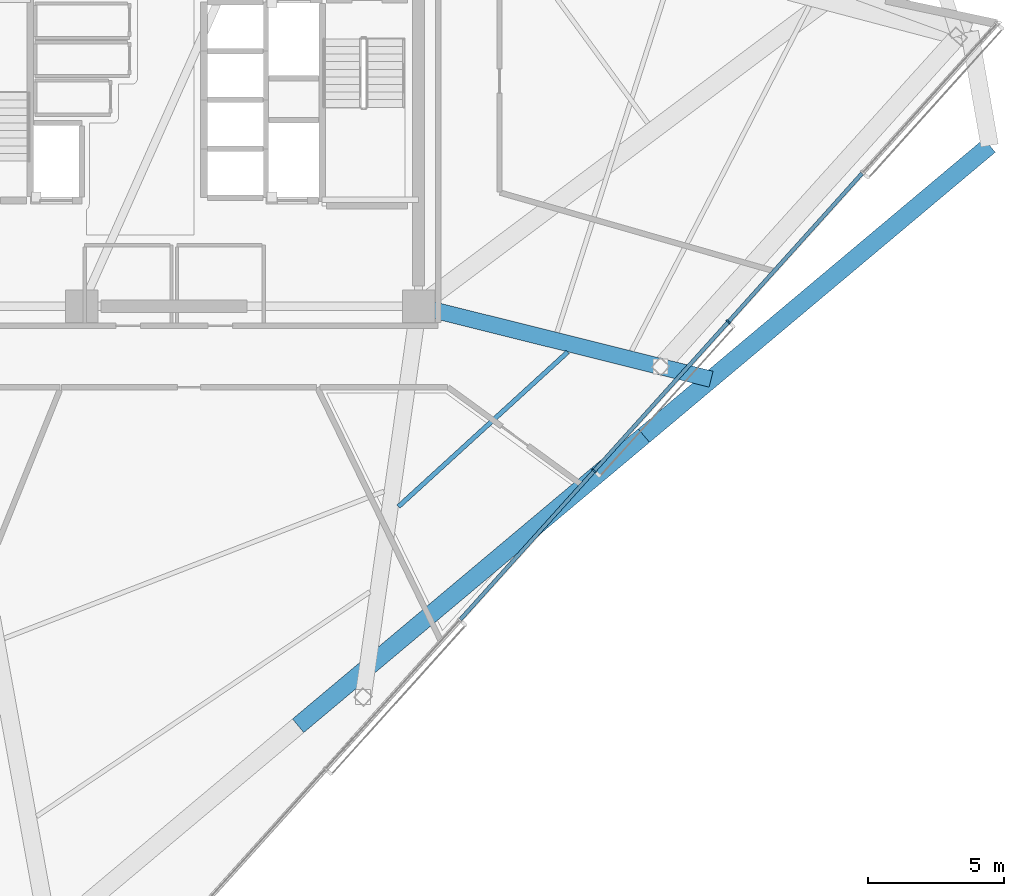
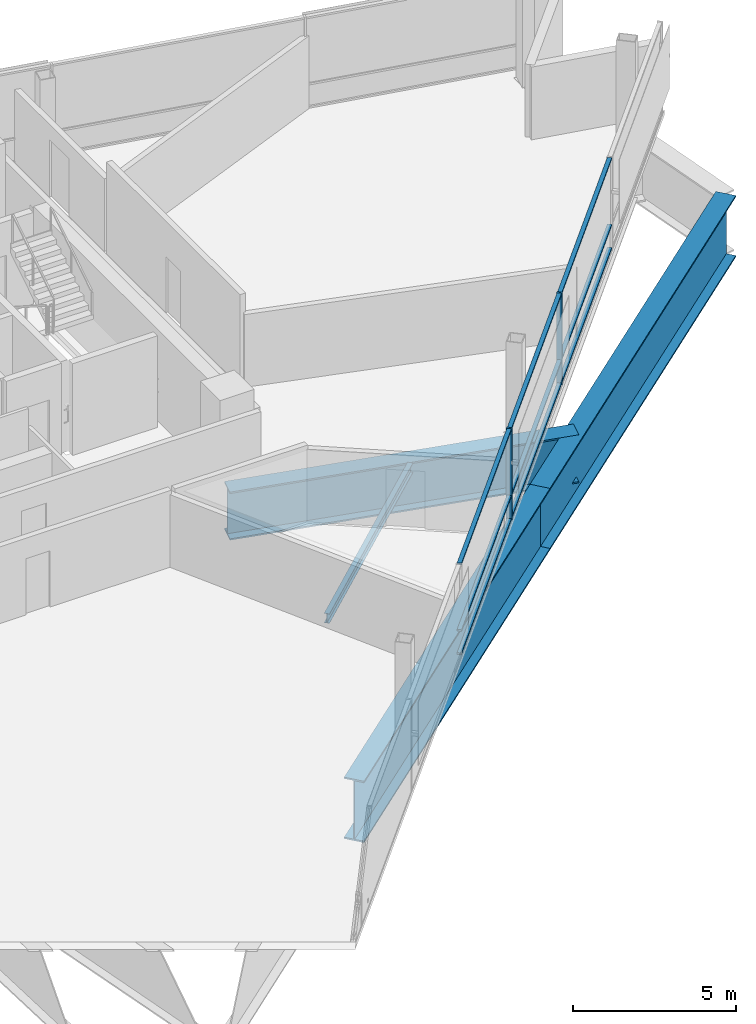
# One storey, part 4 of 17: 11 members, 4 beams, 1 element without a shape of its own.
"""IFC4 building model written with IfcOpenShell, lengths in metres."""

from ifc_helpers import new_model, si_unit, direction, frame, origin, origin_2d, place, context, subcontext, project, spatial, rectangle, i_section, extrude, material, layer, layer_set, material_profile, profile_set, type_object, element, aggregate, save


model = new_model("IFC4")

# Units and contexts
model_context = context("Model", 3, precision=1e-05, world=origin(), true_north=direction((0.0, 1.0)))
body_context = subcontext(model_context, "Body", "Model", "MODEL_VIEW")
ifc_project = project(units=[si_unit("LENGTHUNIT", "METRE"), si_unit("AREAUNIT", "SQUARE_METRE"), si_unit("VOLUMEUNIT", "CUBIC_METRE"), si_unit("PLANEANGLEUNIT", "RADIAN"), si_unit("MASSUNIT", "GRAM", prefix="KILO")], contexts=[model_context])

# Site, building, storey
site_placement = place(None, origin())
site = spatial("IfcSite", under=ifc_project, at=site_placement, CompositionType="ELEMENT")
building_placement = place(site_placement, origin())
building = spatial("IfcBuilding", under=site, at=building_placement, Name="Tharavind Bronze Gate", CompositionType="ELEMENT")
storey_placement = place(building_placement, frame((0.0, 0.0, 196.85009765625)))
storey = spatial("IfcBuildingStorey", under=building, at=storey_placement, Name="L50", CompositionType="ELEMENT", Elevation=196.85009765625)

# Curtain wall, members
ifc_material_1 = material(Name="Anodised Bronze Aluminium", Category="aluminium")
ifc_layer = layer(ifc_material_1, 0.219970703125)
ifc_layer_set = layer_set([ifc_layer], Name="Anodised Bronze Aluminium")
curtain_wall_type = type_object("IfcCurtainWallType", Name="UNITISED CURTAIN WALL MID OFFICE", PredefinedType="USERDEFINED", material=ifc_layer_set)
curtain_wall_placement = place(storey_placement, origin())
curtain_wall = element("IfcCurtainWall", 1, at=curtain_wall_placement, inside=storey, type_object=curtain_wall_type, Name="L50 unitised curtain wall mid office CW-L50-S2", ObjectType="UNITISED CURTAIN WALL", PredefinedType="USERDEFINED")
member_type_1 = type_object("IfcMemberType", Name="CURTAIN WALL BRONZE MULLION 65X180", PredefinedType="MULLION", material=ifc_material_1)
member_1_placement = place(storey_placement, frame((15.365966796875, -13.663818359375, 0.0), z_axis=(0.0, 0.0, 1.0), x_axis=(0.669130606359, 0.743144825477, 0.0)))
member_1 = element("IfcMember", 2, at=member_1_placement, type_object=member_type_1, Name="CW-L50-S2 mullion 5", PredefinedType="MULLION", context=body_context, shape_type="SweptSolid", body=[
    extrude(rectangle(XDim=0.06494140625, YDim=0.179931640625, at=origin_2d()), origin(), (0.0, 0.0, 1.0), 3.419921875),
])
member_2_placement = place(storey_placement, frame((20.310302734375, -8.17236328125, 0.0), z_axis=(0.0, 0.0, 1.0), x_axis=(0.669130606359, 0.743144825477, 0.0)))
member_2 = element("IfcMember", 3, at=member_2_placement, type_object=member_type_1, Name="CW-L50-S2 mullion 6", PredefinedType="MULLION", context=body_context, shape_type="SweptSolid", body=[
    extrude(rectangle(XDim=0.06494140625, YDim=0.179931640625, at=origin_2d()), origin(), (0.0, 0.0, 1.0), 3.419921875),
])
member_type_2 = type_object("IfcMemberType", Name="CURTAIN WALL BRONZE TRANSOM 65X140", PredefinedType="USERDEFINED", material=ifc_material_1)
member_3_placement = place(storey_placement, frame((12.8935546875, -16.409423828125, 0.0), z_axis=(0.0, 0.0, 1.0), x_axis=(0.669130606359, 0.743144825477, 0.0)))
member_3 = element("IfcMember", 4, at=member_3_placement, type_object=member_type_2, Name="CW-L50-S2 transom TB4", ObjectType="TRANSOM", PredefinedType="USERDEFINED", context=body_context, shape_type="SweptSolid", body=[
    extrude(rectangle(XDim=7.33642578125, YDim=0.139892578125, at=origin_2d()), origin(), (0.0, 0.0, 1.0), 0.06494140625),
])
member_4_placement = place(storey_placement, frame((12.8935546875, -16.409423828125, 0.867431640625), z_axis=(0.0, 0.0, 1.0), x_axis=(0.669130606359, 0.743144825477, 0.0)))
member_4 = element("IfcMember", 5, at=member_4_placement, type_object=member_type_2, Name="CW-L50-S2 transom TS4", ObjectType="TRANSOM", PredefinedType="USERDEFINED", context=body_context, shape_type="SweptSolid", body=[
    extrude(rectangle(XDim=7.33642578125, YDim=0.139892578125, at=origin_2d()), origin(), (0.0, 0.0, 1.0), 0.06494140625),
])
member_5_placement = place(storey_placement, frame((12.8935546875, -16.409423828125, 3.35498046875), z_axis=(0.0, 0.0, 1.0), x_axis=(0.669130606359, 0.743144825477, 0.0)))
member_5 = element("IfcMember", 6, at=member_5_placement, type_object=member_type_2, Name="CW-L50-S2 transom TT4", ObjectType="TRANSOM", PredefinedType="USERDEFINED", context=body_context, shape_type="SweptSolid", body=[
    extrude(rectangle(XDim=7.33642578125, YDim=0.139892578125, at=origin_2d()), origin(), (0.0, 0.0, 1.0), 0.06494140625),
])
member_6_placement = place(storey_placement, frame((17.838134765625, -10.91796875, 0.0), z_axis=(0.0, 0.0, 1.0), x_axis=(0.669130606359, 0.743144825477, 0.0)))
member_6 = element("IfcMember", 7, at=member_6_placement, type_object=member_type_2, Name="CW-L50-S2 transom TB5", ObjectType="TRANSOM", PredefinedType="USERDEFINED", context=body_context, shape_type="SweptSolid", body=[
    extrude(rectangle(XDim=7.33642578125, YDim=0.139892578125, at=origin_2d()), origin(), (0.0, 0.0, 1.0), 0.06494140625),
])
member_7_placement = place(storey_placement, frame((17.838134765625, -10.91796875, 0.867431640625), z_axis=(0.0, 0.0, 1.0), x_axis=(0.669130606359, 0.743144825477, 0.0)))
member_7 = element("IfcMember", 8, at=member_7_placement, type_object=member_type_2, Name="CW-L50-S2 transom TS5", ObjectType="TRANSOM", PredefinedType="USERDEFINED", context=body_context, shape_type="SweptSolid", body=[
    extrude(rectangle(XDim=7.33642578125, YDim=0.139892578125, at=origin_2d()), origin(), (0.0, 0.0, 1.0), 0.06494140625),
])
member_8_placement = place(storey_placement, frame((17.838134765625, -10.91796875, 3.35498046875), z_axis=(0.0, 0.0, 1.0), x_axis=(0.669130606359, 0.743144825477, 0.0)))
member_8 = element("IfcMember", 9, at=member_8_placement, type_object=member_type_2, Name="CW-L50-S2 transom TT5", ObjectType="TRANSOM", PredefinedType="USERDEFINED", context=body_context, shape_type="SweptSolid", body=[
    extrude(rectangle(XDim=7.33642578125, YDim=0.139892578125, at=origin_2d()), origin(), (0.0, 0.0, 1.0), 0.06494140625),
])
member_9_placement = place(storey_placement, frame((22.78271484375, -5.426513671875, 0.0), z_axis=(0.0, 0.0, 1.0), x_axis=(0.669130606359, 0.743144825477, 0.0)))
member_9 = element("IfcMember", 10, at=member_9_placement, type_object=member_type_2, Name="CW-L50-S2 transom TB6", ObjectType="TRANSOM", PredefinedType="USERDEFINED", context=body_context, shape_type="SweptSolid", body=[
    extrude(rectangle(XDim=7.33642578125, YDim=0.139892578125, at=origin_2d()), origin(), (0.0, 0.0, 1.0), 0.06494140625),
])
member_10_placement = place(storey_placement, frame((22.78271484375, -5.426513671875, 0.867431640625), z_axis=(0.0, 0.0, 1.0), x_axis=(0.669130606359, 0.743144825477, 0.0)))
member_10 = element("IfcMember", 11, at=member_10_placement, type_object=member_type_2, Name="CW-L50-S2 transom TS6", ObjectType="TRANSOM", PredefinedType="USERDEFINED", context=body_context, shape_type="SweptSolid", body=[
    extrude(rectangle(XDim=7.33642578125, YDim=0.139892578125, at=origin_2d()), origin(), (0.0, 0.0, 1.0), 0.06494140625),
])
member_11_placement = place(storey_placement, frame((22.78271484375, -5.426513671875, 3.35498046875), z_axis=(0.0, 0.0, 1.0), x_axis=(0.669130606359, 0.743144825477, 0.0)))
member_11 = element("IfcMember", 12, at=member_11_placement, type_object=member_type_2, Name="CW-L50-S2 transom TT6", ObjectType="TRANSOM", PredefinedType="USERDEFINED", context=body_context, shape_type="SweptSolid", body=[
    extrude(rectangle(XDim=7.33642578125, YDim=0.139892578125, at=origin_2d()), origin(), (0.0, 0.0, 1.0), 0.06494140625),
])
aggregate(curtain_wall, [member_1, member_2, member_3, member_4, member_5, member_6, member_7, member_8, member_9, member_10, member_11])

# Beams
ifc_material_2 = material(Name="Steel S355", Category="steel")
ifc_material_profile_1 = material_profile(ifc_material_2, i_section(OverallWidth=0.169921875, OverallDepth=0.360107421875, WebThickness=0.008056640625, FlangeThickness=0.0126953125, at=origin_2d()), Name="IPE360")
ifc_profile_set_1 = profile_set([ifc_material_profile_1], Name="Steel S355")
beam_type_1 = type_object("IfcBeamType", Name="SECONDARY FLOOR JOIST IPE360", PredefinedType="JOIST", material=ifc_profile_set_1)
beam_1_placement = place(storey_placement, frame((8.158203125, -14.9794921875, -0.3701171875), z_axis=(0.738417290051, 0.67434405592, 0.0), x_axis=(-0.67434405592, 0.738417290051, 0.0)))
element("IfcBeam", 13, at=beam_1_placement, inside=storey, type_object=beam_type_1, Name="L50 secondary floor joist ipe360 BM-L50-JSTA06", PredefinedType="JOIST", context=body_context, shape_type="SweptSolid", body=[
    extrude(i_section(OverallWidth=0.169921875, OverallDepth=0.360107421875, WebThickness=0.008056640625, FlangeThickness=0.0126953125, at=origin_2d()), origin(), (0.0, 0.0, 1.0), 8.447509765625),
])
ifc_material_3 = material(Name="Steel S460", Category="steel")
ifc_material_profile_2 = material_profile(ifc_material_3, i_section(OverallWidth=0.60009765625, OverallDepth=1.800048828125, WebThickness=0.031982421875, FlangeThickness=0.054931640625, at=origin_2d()), Name="PG1800X600")
ifc_profile_set_2 = profile_set([ifc_material_profile_2], Name="Steel S460")
beam_type_2 = type_object("IfcBeamType", Name="TRANSFER GIRDER 1800X600", PredefinedType="USERDEFINED", material=ifc_profile_set_2)
beam_2_placement = place(storey_placement, frame((8.89990234375, -7.60009765625, -1.090087890625), z_axis=(0.970297484603, -0.241914843225, 0.0), x_axis=(0.241914843225, 0.970297484603, 0.0)))
element("IfcBeam", 14, at=beam_2_placement, inside=storey, type_object=beam_type_2, Name="L50 transfer girder 1800x600 BM-L50-XFR07", ObjectType="TRANSFER GIRDER", PredefinedType="USERDEFINED", context=body_context, shape_type="SweptSolid", body=[
    extrude(i_section(OverallWidth=0.60009765625, OverallDepth=1.800048828125, WebThickness=0.031982421875, FlangeThickness=0.054931640625, at=origin_2d()), origin(), (0.0, 0.0, 1.0), 11.105224609375),
])
ifc_material_profile_3 = material_profile(ifc_material_3, i_section(OverallWidth=0.64990234375, OverallDepth=2.300048828125, WebThickness=0.035888671875, FlangeThickness=0.05810546875, at=origin_2d()), Name="PG2300X650")
ifc_profile_set_3 = profile_set([ifc_material_profile_3], Name="Steel S460")
beam_type_3 = type_object("IfcBeamType", Name="TRANSFER GIRDER 2300X650", PredefinedType="USERDEFINED", material=ifc_profile_set_3)
beam_3_placement = place(storey_placement, frame((4.46337890625, -23.05078125, -1.340087890625), z_axis=(0.766044110924, 0.642788005581, 0.0), x_axis=(-0.642788005581, 0.766044110924, 0.0)))
element("IfcBeam", 15, at=beam_3_placement, inside=storey, type_object=beam_type_3, Name="L50 transfer girder 2300x650 BM-L50-LRG06", ObjectType="TRANSFER GIRDER", PredefinedType="USERDEFINED", context=body_context, shape_type="SweptSolid", body=[
    extrude(i_section(OverallWidth=0.64990234375, OverallDepth=2.300048828125, WebThickness=0.035888671875, FlangeThickness=0.05810546875, at=origin_2d()), origin(), (0.0, 0.0, 1.0), 16.62451171875),
])
beam_4_placement = place(storey_placement, frame((17.198486328125, -12.36474609375, -1.340087890625), z_axis=(0.766050178558, 0.642780774394, 0.0), x_axis=(-0.642780774394, 0.766050178558, 0.0)))
element("IfcBeam", 16, at=beam_4_placement, inside=storey, type_object=beam_type_3, Name="L50 transfer girder 2300x650 BM-L50-LRG07", ObjectType="TRANSFER GIRDER", PredefinedType="USERDEFINED", context=body_context, shape_type="SweptSolid", body=[
    extrude(i_section(OverallWidth=0.64990234375, OverallDepth=2.300048828125, WebThickness=0.035888671875, FlangeThickness=0.05810546875, at=origin_2d()), origin(), (0.0, 0.0, 1.0), 16.624755859375),
])

save(model, "model.ifc")
